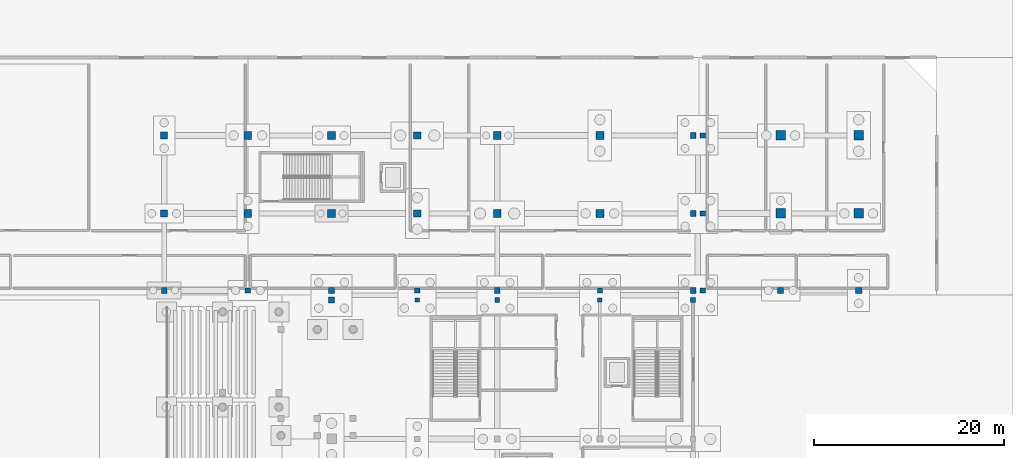
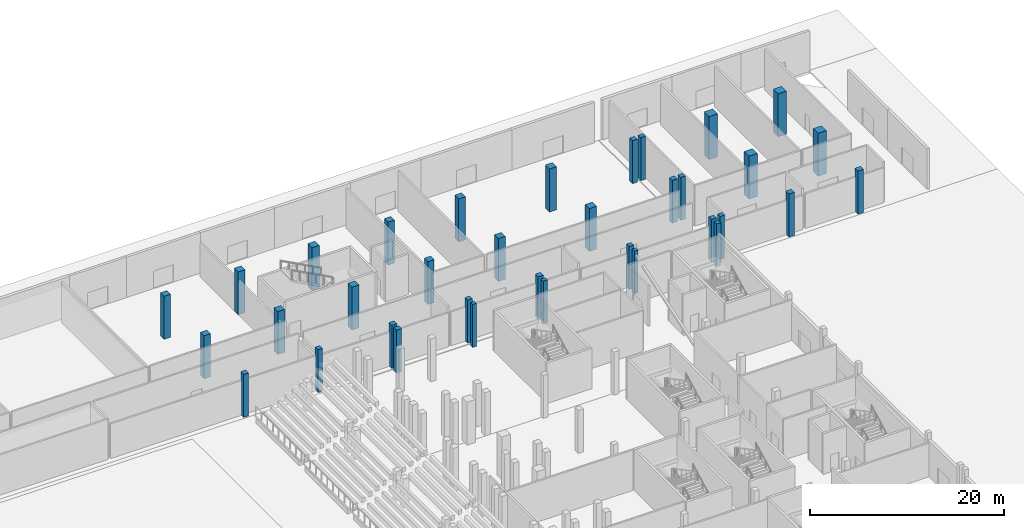
# One storey, part 19 of 89: 35 columns.
"""IFC4 building model written with IfcOpenShell, lengths in metres."""

from ifc_helpers import new_model, si_unit, direction, frame, origin, origin_2d, place, context, subcontext, project, spatial, rectangle, extrude, material, material_profile, profile_set, type_object, element, save


model = new_model("IFC4")

# Units and contexts
model_context = context("Model", 3, precision=1e-05, world=origin(), true_north=direction((0.0, 1.0)))
body_context = subcontext(model_context, "Body", "Model", "MODEL_VIEW")
ifc_project = project(units=[si_unit("LENGTHUNIT", "METRE"), si_unit("AREAUNIT", "SQUARE_METRE"), si_unit("VOLUMEUNIT", "CUBIC_METRE"), si_unit("PLANEANGLEUNIT", "RADIAN"), si_unit("MASSUNIT", "GRAM", prefix="KILO")], contexts=[model_context])

# Site, building, storey
site_placement = place(None, origin())
site = spatial("IfcSite", under=ifc_project, at=site_placement, CompositionType="ELEMENT")
building_placement = place(site_placement, origin())
building = spatial("IfcBuilding", under=site, at=building_placement, Name="Koshinbarg Plaza Stadium", CompositionType="ELEMENT")
storey_placement = place(building_placement, origin())
storey = spatial("IfcBuildingStorey", under=building, at=storey_placement, Name="L00", CompositionType="ELEMENT", Elevation=0.0)

# Columns
ifc_material = material(Name="Concrete C40/50", Category="concrete")
ifc_material_profile_1 = material_profile(ifc_material, rectangle(XDim=0.449951171875, YDim=0.449951171875, at=origin_2d()), Name="RC 450x450")
ifc_profile_set_1 = profile_set([ifc_material_profile_1], Name="Concrete C40/50")
column_type_1 = type_object("IfcColumnType", Name="COL-RC-01", PredefinedType="COLUMN", material=ifc_profile_set_1)
for number, where, z_axis, x_axis, name in (
    (1, (189.39990234375, 126.5, 0.0), (0.0, 0.0, 1.0), (1.0, 0.0, 0.0), "L00 column 18/R"),
    (2, (208.60009765625, 126.5, 0.0), (0.0, 0.0, 1.0), (1.0, 0.0, 0.0), "L00 column 20/R"),
):
    element("IfcColumn", number, at=place(storey_placement, frame(where, z_axis=z_axis, x_axis=x_axis)), inside=storey, type_object=column_type_1, Name=name, PredefinedType="COLUMN", context=body_context, shape_type="SweptSolid", body=[
        extrude(rectangle(XDim=0.449951171875, YDim=0.449951171875, at=origin_2d()), origin(), (0.0, 0.0, 1.0), 5.39990234375),
    ])
ifc_material_profile_2 = material_profile(ifc_material, rectangle(XDim=0.5, YDim=0.5, at=origin_2d()), Name="RC 500x500")
ifc_profile_set_2 = profile_set([ifc_material_profile_2], Name="Concrete C40/50")
column_type_2 = type_object("IfcColumnType", Name="COL-RC-02", PredefinedType="COLUMN", material=ifc_profile_set_2)
for number, where, z_axis, x_axis, name in (
    (3, (197.800048828125, 126.5, 0.0), (0.0, 0.0, 1.0), (1.0, 0.0, 0.0), "L00 column 19/R"),
    (4, (218.39990234375, 126.5, 0.0), (0.0, 0.0, 1.0), (1.0, 0.0, 0.0), "L00 column 21/R"),
):
    element("IfcColumn", number, at=place(storey_placement, frame(where, z_axis=z_axis, x_axis=x_axis)), inside=storey, type_object=column_type_2, Name=name, PredefinedType="COLUMN", context=body_context, shape_type="SweptSolid", body=[
        extrude(rectangle(XDim=0.5, YDim=0.5, at=origin_2d()), origin(), (0.0, 0.0, 1.0), 5.39990234375),
    ])
ifc_material_profile_3 = material_profile(ifc_material, rectangle(XDim=0.550048828125, YDim=0.550048828125, at=origin_2d()), Name="RC 550x550")
ifc_profile_set_3 = profile_set([ifc_material_profile_3], Name="Concrete C40/50")
column_type_3 = type_object("IfcColumnType", Name="COL-RC-03", PredefinedType="COLUMN", material=ifc_profile_set_3)
for number, where, z_axis, x_axis, name in (
    (5, (171.60009765625, 127.5, 0.0), (0.0, 0.0, 1.0), (1.0, 0.0, 0.0), "L00 column 16/S"),
    (6, (189.39990234375, 127.5, 0.0), (0.0, 0.0, 1.0), (1.0, 0.0, 0.0), "L00 column 18/S"),
    (7, (208.60009765625, 127.5, 0.0), (0.0, 0.0, 1.0), (1.0, 0.0, 0.0), "L00 column 20/S"),
    (8, (219.39990234375, 127.5, 0.0), (0.0, 0.0, 1.0), (1.0, 0.0, 0.0), "L00 column 22/S"),
    (9, (219.39990234375, 135.60009765625, 0.0), (0.0, 0.0, 1.0), (1.0, 0.0, 0.0), "L00 column 22/T"),
    (10, (219.39990234375, 143.800048828125, 0.0), (0.0, 0.0, 1.0), (1.0, 0.0, 0.0), "L00 column 22/U"),
):
    element("IfcColumn", number, at=place(storey_placement, frame(where, z_axis=z_axis, x_axis=x_axis)), inside=storey, type_object=column_type_3, Name=name, PredefinedType="COLUMN", context=body_context, shape_type="SweptSolid", body=[
        extrude(rectangle(XDim=0.550048828125, YDim=0.550048828125, at=origin_2d()), origin(), (0.0, 0.0, 1.0), 5.39990234375),
    ])
ifc_material_profile_4 = material_profile(ifc_material, rectangle(XDim=0.60009765625, YDim=0.60009765625, at=origin_2d()), Name="RC 600x600")
ifc_profile_set_4 = profile_set([ifc_material_profile_4], Name="Concrete C40/50")
column_type_4 = type_object("IfcColumnType", Name="COL-RC-04", PredefinedType="COLUMN", material=ifc_profile_set_4)
for number, where, z_axis, x_axis, name in (
    (11, (162.800048828125, 127.5, 0.0), (0.0, 0.0, 1.0), (1.0, 0.0, 0.0), "L00 column 15/S"),
    (12, (180.39990234375, 126.5, 0.0), (0.0, 0.0, 1.0), (1.0, 0.0, 0.0), "L00 column 17/R"),
    (13, (180.39990234375, 127.5, 0.0), (0.0, 0.0, 1.0), (1.0, 0.0, 0.0), "L00 column 17/S"),
    (14, (197.800048828125, 127.5, 0.0), (0.0, 0.0, 1.0), (1.0, 0.0, 0.0), "L00 column 19/S"),
    (15, (218.39990234375, 127.5, 0.0), (0.0, 0.0, 1.0), (1.0, 0.0, 0.0), "L00 column 21/S"),
    (16, (218.39990234375, 135.60009765625, 0.0), (0.0, 0.0, 1.0), (1.0, 0.0, 0.0), "L00 column 21/T"),
    (17, (218.39990234375, 143.800048828125, 0.0), (0.0, 0.0, 1.0), (1.0, 0.0, 0.0), "L00 column 21/U"),
):
    element("IfcColumn", number, at=place(storey_placement, frame(where, z_axis=z_axis, x_axis=x_axis)), inside=storey, type_object=column_type_4, Name=name, PredefinedType="COLUMN", context=body_context, shape_type="SweptSolid", body=[
        extrude(rectangle(XDim=0.60009765625, YDim=0.60009765625, at=origin_2d()), origin(), (0.0, 0.0, 1.0), 5.39990234375),
    ])
ifc_material_profile_5 = material_profile(ifc_material, rectangle(XDim=0.64990234375, YDim=0.64990234375, at=origin_2d()), Name="RC 650x650")
ifc_profile_set_5 = profile_set([ifc_material_profile_5], Name="Concrete C40/50")
column_type_5 = type_object("IfcColumnType", Name="COL-RC-05", PredefinedType="COLUMN", material=ifc_profile_set_5)
for number, where, z_axis, x_axis, name in (
    (18, (227.60009765625, 127.5, 0.0), (0.0, 0.0, 1.0), (1.0, 0.0, 0.0), "L00 column 23/S"),
    (19, (235.800048828125, 127.5, 0.0), (0.0, 0.0, 1.0), (1.0, 0.0, 0.0), "L00 column 24/S"),
):
    element("IfcColumn", number, at=place(storey_placement, frame(where, z_axis=z_axis, x_axis=x_axis)), inside=storey, type_object=column_type_5, Name=name, PredefinedType="COLUMN", context=body_context, shape_type="SweptSolid", body=[
        extrude(rectangle(XDim=0.64990234375, YDim=0.64990234375, at=origin_2d()), origin(), (0.0, 0.0, 1.0), 5.39990234375),
    ])
ifc_material_profile_6 = material_profile(ifc_material, rectangle(XDim=0.75, YDim=0.75, at=origin_2d()), Name="RC 750x750")
ifc_profile_set_6 = profile_set([ifc_material_profile_6], Name="Concrete C40/50")
column_type_6 = type_object("IfcColumnType", Name="COL-RC-07", PredefinedType="COLUMN", material=ifc_profile_set_6)
for number, where, z_axis, x_axis, name in (
    (20, (162.800048828125, 135.60009765625, 0.0), (0.0, 0.0, 1.0), (1.0, 0.0, 0.0), "L00 column 15/T"),
    (21, (162.800048828125, 143.800048828125, 0.0), (0.0, 0.0, 1.0), (1.0, 0.0, 0.0), "L00 column 15/U"),
    (22, (189.39990234375, 135.60009765625, 0.0), (0.0, 0.0, 1.0), (1.0, 0.0, 0.0), "L00 column 18/T"),
    (23, (189.39990234375, 143.800048828125, 0.0), (0.0, 0.0, 1.0), (1.0, 0.0, 0.0), "L00 column 18/U"),
):
    element("IfcColumn", number, at=place(storey_placement, frame(where, z_axis=z_axis, x_axis=x_axis)), inside=storey, type_object=column_type_6, Name=name, PredefinedType="COLUMN", context=body_context, shape_type="SweptSolid", body=[
        extrude(rectangle(XDim=0.75, YDim=0.75, at=origin_2d()), origin(), (0.0, 0.0, 1.0), 5.39990234375),
    ])
ifc_material_profile_7 = material_profile(ifc_material, rectangle(XDim=0.800048828125, YDim=0.800048828125, at=origin_2d()), Name="RC 800x800")
ifc_profile_set_7 = profile_set([ifc_material_profile_7], Name="Concrete C40/50")
column_type_7 = type_object("IfcColumnType", Name="COL-RC-08", PredefinedType="COLUMN", material=ifc_profile_set_7)
for number, where, z_axis, x_axis, name in (
    (24, (171.60009765625, 135.60009765625, 0.0), (0.0, 0.0, 1.0), (1.0, 0.0, 0.0), "L00 column 16/T"),
    (25, (171.60009765625, 143.800048828125, 0.0), (0.0, 0.0, 1.0), (1.0, 0.0, 0.0), "L00 column 16/U"),
    (26, (197.800048828125, 135.60009765625, 0.0), (0.0, 0.0, 1.0), (1.0, 0.0, 0.0), "L00 column 19/T"),
    (27, (197.800048828125, 143.800048828125, 0.0), (0.0, 0.0, 1.0), (1.0, 0.0, 0.0), "L00 column 19/U"),
):
    element("IfcColumn", number, at=place(storey_placement, frame(where, z_axis=z_axis, x_axis=x_axis)), inside=storey, type_object=column_type_7, Name=name, PredefinedType="COLUMN", context=body_context, shape_type="SweptSolid", body=[
        extrude(rectangle(XDim=0.800048828125, YDim=0.800048828125, at=origin_2d()), origin(), (0.0, 0.0, 1.0), 5.39990234375),
    ])
ifc_material_profile_8 = material_profile(ifc_material, rectangle(XDim=0.85009765625, YDim=0.85009765625, at=origin_2d()), Name="RC 850x850")
ifc_profile_set_8 = profile_set([ifc_material_profile_8], Name="Concrete C40/50")
column_type_8 = type_object("IfcColumnType", Name="COL-RC-09", PredefinedType="COLUMN", material=ifc_profile_set_8)
for number, where, z_axis, x_axis, name in (
    (28, (180.39990234375, 135.60009765625, 0.0), (0.0, 0.0, 1.0), (1.0, 0.0, 0.0), "L00 column 17/T"),
    (29, (180.39990234375, 143.800048828125, 0.0), (0.0, 0.0, 1.0), (1.0, 0.0, 0.0), "L00 column 17/U"),
    (30, (208.60009765625, 135.60009765625, 0.0), (0.0, 0.0, 1.0), (1.0, 0.0, 0.0), "L00 column 20/T"),
    (31, (208.60009765625, 143.800048828125, 0.0), (0.0, 0.0, 1.0), (1.0, 0.0, 0.0), "L00 column 20/U"),
):
    element("IfcColumn", number, at=place(storey_placement, frame(where, z_axis=z_axis, x_axis=x_axis)), inside=storey, type_object=column_type_8, Name=name, PredefinedType="COLUMN", context=body_context, shape_type="SweptSolid", body=[
        extrude(rectangle(XDim=0.85009765625, YDim=0.85009765625, at=origin_2d()), origin(), (0.0, 0.0, 1.0), 5.39990234375),
    ])
ifc_material_profile_9 = material_profile(ifc_material, rectangle(XDim=1.0, YDim=1.0, at=origin_2d()), Name="RC 1000x1000")
ifc_profile_set_9 = profile_set([ifc_material_profile_9], Name="Concrete C40/50")
column_type_9 = type_object("IfcColumnType", Name="COL-RC-11", PredefinedType="COLUMN", material=ifc_profile_set_9)
for number, where, z_axis, x_axis, name in (
    (32, (227.60009765625, 135.60009765625, 0.0), (0.0, 0.0, 1.0), (1.0, 0.0, 0.0), "L00 column 23/T"),
    (33, (227.60009765625, 143.800048828125, 0.0), (0.0, 0.0, 1.0), (1.0, 0.0, 0.0), "L00 column 23/U"),
    (34, (235.800048828125, 135.60009765625, 0.0), (0.0, 0.0, 1.0), (1.0, 0.0, 0.0), "L00 column 24/T"),
    (35, (235.800048828125, 143.800048828125, 0.0), (0.0, 0.0, 1.0), (1.0, 0.0, 0.0), "L00 column 24/U"),
):
    element("IfcColumn", number, at=place(storey_placement, frame(where, z_axis=z_axis, x_axis=x_axis)), inside=storey, type_object=column_type_9, Name=name, PredefinedType="COLUMN", context=body_context, shape_type="SweptSolid", body=[
        extrude(rectangle(XDim=1.0, YDim=1.0, at=origin_2d()), origin(), (0.0, 0.0, 1.0), 5.39990234375),
    ])

save(model, "model.ifc")
